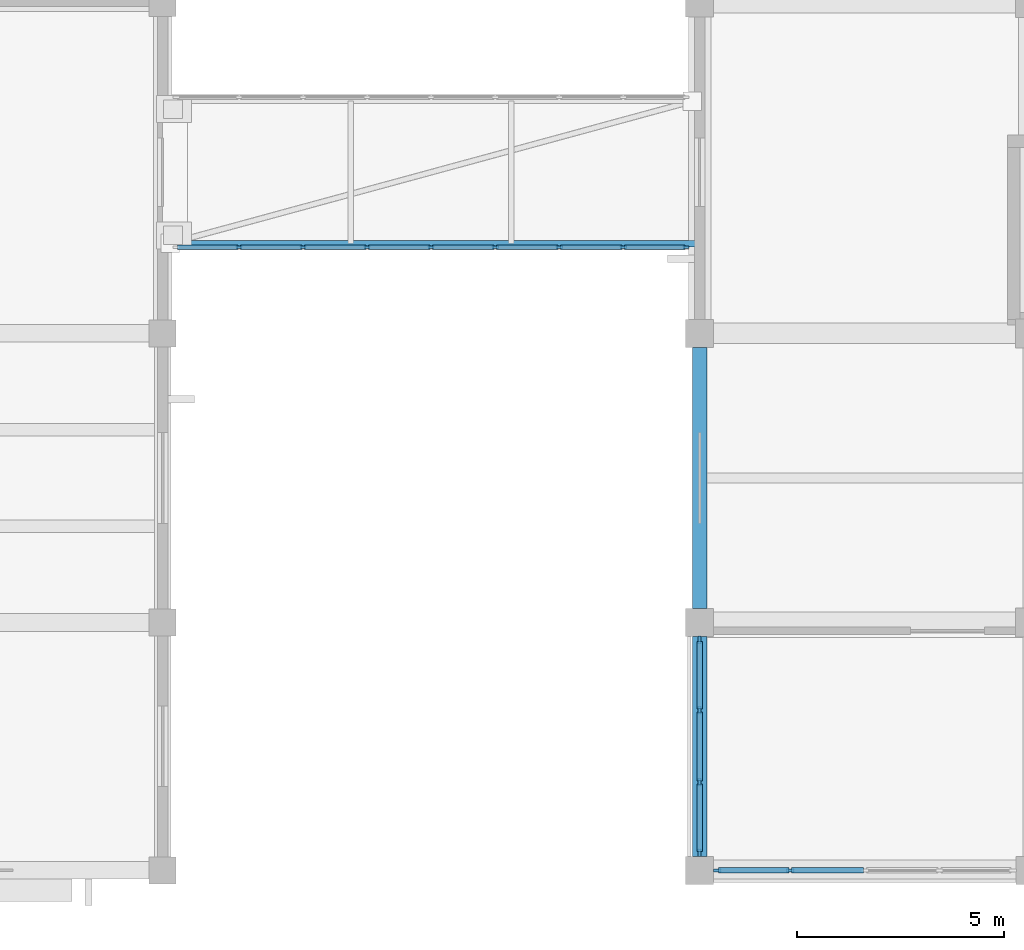
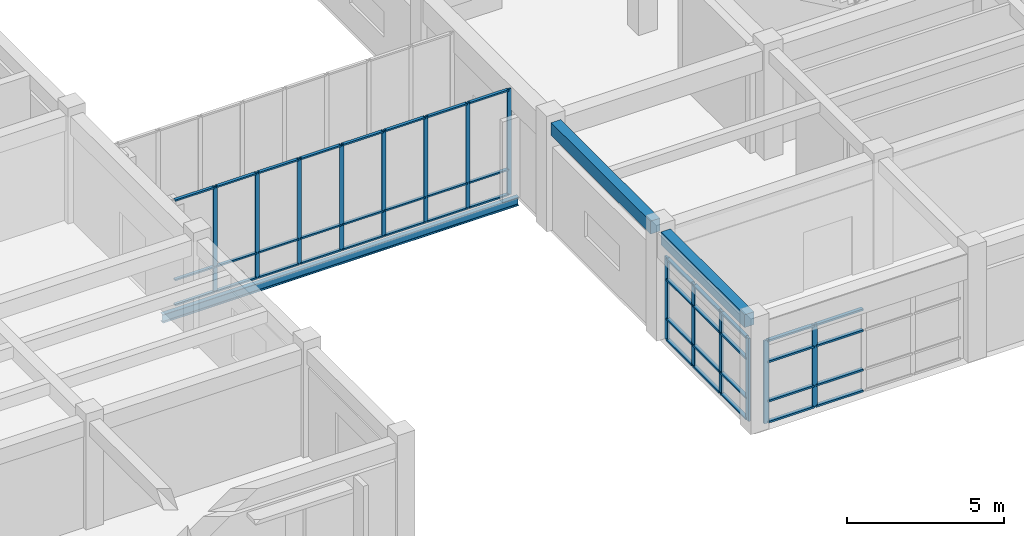
# One storey, part 21 of 72: 58 members, 3 beams, 3 elements without a shape of their own.
"""IFC4 building model written with IfcOpenShell, lengths in metres."""

import ifcopenshell
import ifcopenshell.guid

model = None  # the IFC model being written
_history = None  # IfcOwnerHistory: only IFC2X3 demands one
_inside = {}  # id of a spatial element -> (the spatial element, [elements in it])
_under = {}  # id of a project, library or spatial element -> (it, [spatial elements below it])
_declared = {}  # id of a project -> (the project, [libraries it declares])
_typed = {}  # id of a type object -> (the type object, [elements of that type])
_made_of = {}  # id of a material, layer set ... -> (it, [elements and type objects made of it])


def new_model(schema):
    """Start an empty IFC model of exactly this schema.

    Asked for "IFC4X3", IfcOpenShell would pick the latest addendum, in which some entities
    have other attributes; the version numbers below select the first issue.
    IFC2X3 requires an IfcOwnerHistory on every rooted entity: one is made here for all.
    """
    global model, _history
    if schema == "IFC4X3":
        model = ifcopenshell.file(schema_version=(4, 3, 0, 0))
    else:
        model = ifcopenshell.file(schema=schema)
    _inside.clear()
    _under.clear()
    _declared.clear()
    _typed.clear()
    _made_of.clear()
    _history = None
    if model.schema == "IFC2X3":
        org = make("IfcOrganization", Name="unknown")
        user = make(
            "IfcPersonAndOrganization",
            ThePerson=make("IfcPerson", FamilyName="unknown"),
            TheOrganization=org,
        )
        app = make(
            "IfcApplication",
            ApplicationDeveloper=org,
            Version="unknown",
            ApplicationFullName="unknown",
            ApplicationIdentifier="unknown",
        )
        _history = make(
            "IfcOwnerHistory",
            OwningUser=user,
            OwningApplication=app,
            ChangeAction="ADDED",
            CreationDate=0,
        )
    return model


def make(cls, **values):
    """One entity of the class cls with the attributes given. An attribute that is None is left unset."""
    return model.create_entity(
        cls, **{name: value for name, value in values.items() if value is not None}
    )


def rooted(cls, **values):
    """An entity with a GlobalId (a new one), such as an element, a storey or a relation."""
    return make(cls, GlobalId=ifcopenshell.guid.new(), OwnerHistory=_history, **values)


def si_unit(unit_type, name, prefix=None):
    """IfcSIUnit, for example si_unit("LENGTHUNIT", "METRE", prefix="MILLI")."""
    return make("IfcSIUnit", UnitType=unit_type, Prefix=prefix, Name=name)


def assignment(units):
    """IfcUnitAssignment: the units of a project."""
    return None if units is None else make("IfcUnitAssignment", Units=units)


def point(xyz):
    """IfcCartesianPoint."""
    return None if xyz is None else make("IfcCartesianPoint", Coordinates=xyz)


def direction(xyz):
    """IfcDirection."""
    return None if xyz is None else make("IfcDirection", DirectionRatios=xyz)


def frame(location, z_axis=None, x_axis=None):
    """IfcAxis2Placement3D, a coordinate frame: its origin and axes. An axis left out is left unset."""
    return make(
        "IfcAxis2Placement3D",
        Location=point(location),
        Axis=direction(z_axis),
        RefDirection=direction(x_axis),
    )


def frame_2d(location, x_axis=None):
    """IfcAxis2Placement2D, a coordinate frame in the plane: its origin and x axis."""
    return make(
        "IfcAxis2Placement2D", Location=point(location), RefDirection=direction(x_axis)
    )


def origin():
    """The frame at (0, 0, 0) with its axes left unset."""
    return frame((0.0, 0.0, 0.0))


def origin_2d():
    """The frame at (0, 0) in the plane with its x axis left unset."""
    return frame_2d((0.0, 0.0))


def place(relative_to, where):
    """IfcLocalPlacement: puts the frame where relative to a parent placement (None: the world)."""
    return make(
        "IfcLocalPlacement", PlacementRelTo=relative_to, RelativePlacement=where
    )


def context(
    kind, dimensions, precision=None, world=None, true_north=None, identifier=None
):
    """IfcGeometricRepresentationContext, for example the 3D "Model" context."""
    return make(
        "IfcGeometricRepresentationContext",
        ContextIdentifier=identifier,
        ContextType=kind,
        CoordinateSpaceDimension=dimensions,
        Precision=precision,
        WorldCoordinateSystem=world,
        TrueNorth=true_north,
    )


def subcontext(parent, identifier, kind, view, scale=None):
    """IfcGeometricRepresentationSubContext, for example "Body" below "Model"."""
    return make(
        "IfcGeometricRepresentationSubContext",
        ContextIdentifier=identifier,
        ContextType=kind,
        ParentContext=parent,
        TargetScale=scale,
        TargetView=view,
    )


def project(units=None, contexts=None):
    """IfcProject with its units and contexts."""
    return rooted(
        "IfcProject",
        Name="project",
        RepresentationContexts=contexts,
        UnitsInContext=assignment(units),
    )


def spatial(cls, under=None, at=None, **own):
    """A site, building, storey or space (cls), placed at a placement, below another one or the project."""
    s = rooted(cls, ObjectPlacement=at, **own)
    if under is not None:
        _under.setdefault(under.id(), (under, []))[1].append(s)
    return s


def profile(cls, at=None, kind="AREA", **sizes):
    """A parametric profile (cls). Its sizes go by their IFC names, for example OverallWidth=200.0."""
    return make(cls, ProfileType=kind, Position=at, **sizes)


def rectangle(**sizes):
    """IfcRectangleProfileDef."""
    return profile("IfcRectangleProfileDef", **sizes)


def i_section(**sizes):
    """IfcIShapeProfileDef."""
    return profile("IfcIShapeProfileDef", **sizes)


def extrude(swept, where, along, depth):
    """IfcExtrudedAreaSolid: the profile swept, set in the frame where, extruded along a direction by depth."""
    return make(
        "IfcExtrudedAreaSolid",
        SweptArea=swept,
        Position=where,
        ExtrudedDirection=direction(along),
        Depth=depth,
    )


def shape(context_of_items, identifier, shape_type, items):
    """IfcShapeRepresentation: the items that make up one representation, for example the "Body"."""
    return make(
        "IfcShapeRepresentation",
        ContextOfItems=context_of_items,
        RepresentationIdentifier=identifier,
        RepresentationType=shape_type,
        Items=items,
    )


def material(Name=None, Category=None):
    """IfcMaterial."""
    return make("IfcMaterial", Name=Name, Category=Category)


def layer(
    of_material, thickness, ventilated=None, Name=None, Category=None, Priority=None
):
    """IfcMaterialLayer: one layer of a wall or slab, of a material (None: an air gap)."""
    return make(
        "IfcMaterialLayer",
        Material=of_material,
        LayerThickness=thickness,
        IsVentilated=ventilated,
        Name=Name,
        Category=Category,
        Priority=Priority,
    )


def layer_set(layers, Name=None):
    """IfcMaterialLayerSet."""
    return make("IfcMaterialLayerSet", MaterialLayers=layers, LayerSetName=Name)


def material_profile(
    of_material, cross_section, Name=None, Category=None, Priority=None
):
    """IfcMaterialProfile: a cross section and its material."""
    return make(
        "IfcMaterialProfile",
        Name=Name,
        Material=of_material,
        Profile=cross_section,
        Priority=Priority,
        Category=Category,
    )


def profile_set(profiles, Name=None, composite=None):
    """IfcMaterialProfileSet."""
    return make(
        "IfcMaterialProfileSet",
        Name=Name,
        MaterialProfiles=profiles,
        CompositeProfile=composite,
    )


def made_of(thing, what):
    """Note that an element or type object is made of a material, layer set ...; save() writes the relation."""
    if what is not None:
        _made_of.setdefault(what.id(), (what, []))[1].append(thing)
    return thing


def type_object(cls, material=None, **own):
    """A type object (cls), such as IfcWallType, which elements share."""
    return made_of(rooted(cls, **own), material)


def element(
    cls,
    number,
    at=None,
    inside=None,
    cuts=None,
    type_object=None,
    material=None,
    context=None,
    identifier="Body",
    shape_type=None,
    held_by="IfcProductDefinitionShape",
    body=None,
    shapes=None,
    **own,
):
    """One element of the class cls, such as IfcWall. Its Tag is "e" and its number.

    at: its placement. inside: the storey or other place that contains it. cuts: it is an
    opening in that element (IfcRelVoidsElement). A single representation is given by context,
    identifier, shape_type and body (its items); several are given by shapes. held_by: the class
    of the entity that holds the representations. save() writes the other relations.
    """
    e = rooted(cls, Tag="e%d" % number, ObjectPlacement=at, **own)
    if body is not None:
        shapes = [shape(context, identifier, shape_type, body)]
    if shapes is not None:
        e.Representation = make(held_by, Representations=shapes)
    if inside is not None:
        _inside.setdefault(inside.id(), (inside, []))[1].append(e)
    if cuts is not None:
        rooted(
            "IfcRelVoidsElement", RelatingBuildingElement=cuts, RelatedOpeningElement=e
        )
    if type_object is not None:
        _typed.setdefault(type_object.id(), (type_object, []))[1].append(e)
    return made_of(e, material)


def aggregate(whole, parts):
    """IfcRelAggregates: a whole, such as a stair, and the parts it consists of."""
    return rooted("IfcRelAggregates", RelatingObject=whole, RelatedObjects=parts)


def save(model, path):
    """Write the relations noted so far, then the file.

    IfcRelAggregates (storeys below a building ...), IfcRelContainedInSpatialStructure (elements
    in a storey), IfcRelDefinesByType, IfcRelAssociatesMaterial and IfcRelDeclares: one each for
    every whole, place, type object, material and project.
    """
    for whole, parts in _under.values():
        aggregate(whole, parts)
    for where, things in _inside.values():
        rooted(
            "IfcRelContainedInSpatialStructure",
            RelatedElements=things,
            RelatingStructure=where,
        )
    for kind, things in _typed.values():
        rooted("IfcRelDefinesByType", RelatedObjects=things, RelatingType=kind)
    for what, things in _made_of.values():
        rooted("IfcRelAssociatesMaterial", RelatedObjects=things, RelatingMaterial=what)
    for by, libraries in _declared.values():
        rooted("IfcRelDeclares", RelatingContext=by, RelatedDefinitions=libraries)
    model.write(path)


model = new_model("IFC4")

# Units and contexts
model_context = context("Model", 3, precision=1e-05, world=origin(), true_north=direction((0.0, 1.0)))
body_context = subcontext(model_context, "Body", "Model", "MODEL_VIEW")
ifc_project = project(units=[si_unit("LENGTHUNIT", "METRE"), si_unit("AREAUNIT", "SQUARE_METRE"), si_unit("VOLUMEUNIT", "CUBIC_METRE"), si_unit("PLANEANGLEUNIT", "RADIAN"), si_unit("MASSUNIT", "GRAM", prefix="KILO")], contexts=[model_context])

# Site, building, storey
site_placement = place(None, origin())
site = spatial("IfcSite", under=ifc_project, at=site_placement, CompositionType="ELEMENT")
building_placement = place(site_placement, origin())
building = spatial("IfcBuilding", under=site, at=building_placement, Name="Naurynzar Civic Courthouse", CompositionType="ELEMENT")
storey_placement = place(building_placement, frame((0.0, 0.0, 9.89990234375)))
storey = spatial("IfcBuildingStorey", under=building, at=storey_placement, Name="L03", CompositionType="ELEMENT", Elevation=9.89990234375)

# Beams
ifc_material_1 = material(Name="Concrete C40/50", Category="concrete")
ifc_material_profile_1 = material_profile(ifc_material_1, rectangle(XDim=0.35009765625, YDim=0.5, at=origin_2d()), Name="RCB 350x500")
ifc_profile_set_1 = profile_set([ifc_material_profile_1], Name="Concrete C40/50")
beam_type_1 = type_object("IfcBeamType", Name="BM-RC-350x500", PredefinedType="BEAM", material=ifc_profile_set_1)
beam_1_placement = place(storey_placement, frame((130.0, 4.33740234375, 3.9501953125), z_axis=(0.0, 1.0, 0.0), x_axis=(-1.0, 0.0, 0.0)))
element("IfcBeam", 1, at=beam_1_placement, inside=storey, type_object=beam_type_1, Name="V5 girder Y-2423 L03", PredefinedType="BEAM", context=body_context, shape_type="SweptSolid", body=[
    extrude(rectangle(XDim=0.35009765625, YDim=0.5, at=origin_2d()), origin(), (0.0, 0.0, 1.0), 5.3251953125),
])
beam_2_placement = place(storey_placement, frame((130.0, 10.33740234375, 3.9501953125), z_axis=(0.0, 1.0, 0.0), x_axis=(-1.0, 0.0, 0.0)))
element("IfcBeam", 2, at=beam_2_placement, inside=storey, type_object=beam_type_1, Name="V5 girder Y-2424 L03", PredefinedType="BEAM", context=body_context, shape_type="SweptSolid", body=[
    extrude(rectangle(XDim=0.35009765625, YDim=0.5, at=origin_2d()), origin(), (0.0, 0.0, 1.0), 6.3251953125),
])
ifc_material_2 = material(Name="Steel S355", Category="steel")
ifc_material_profile_2 = material_profile(ifc_material_2, i_section(OverallWidth=0.159912109375, OverallDepth=0.330078125, WebThickness=0.007568359375, FlangeThickness=0.011474609375, FilletRadius=0.01806640625, at=origin_2d()), Name="IPE 330")
ifc_profile_set_2 = profile_set([ifc_material_profile_2], Name="Steel S355")
beam_type_2 = type_object("IfcBeamType", Name="BM-STL-IPE330", PredefinedType="BEAM", material=ifc_profile_set_2)
beam_3_placement = place(storey_placement, frame((116.949951171875, 19.169921875, -0.40478515625), z_axis=(1.0, 0.0, 0.0), x_axis=(0.0, 1.0, 0.0)))
element("IfcBeam", 3, at=beam_3_placement, inside=storey, type_object=beam_type_2, Name="BR-E2 edge steel beam L03.1", PredefinedType="BEAM", context=body_context, shape_type="SweptSolid", body=[
    extrude(i_section(OverallWidth=0.159912109375, OverallDepth=0.330078125, WebThickness=0.007568359375, FlangeThickness=0.011474609375, FilletRadius=0.01806640625, at=origin_2d()), origin(), (0.0, 0.0, 1.0), 13.10009765625),
])

# Curtain wall, members
ifc_material_3 = material(Name="Aluminium 6063-T6", Category="aluminium")
ifc_layer_1 = layer(ifc_material_3, 0.14990234375)
ifc_layer_set_1 = layer_set([ifc_layer_1], Name="CW-BRIDGE-1500")
curtain_wall_type_1 = type_object("IfcCurtainWallType", Name="CW-BRIDGE-1500", PredefinedType="USERDEFINED", material=ifc_layer_set_1)
curtain_wall_1_placement = place(storey_placement, origin())
curtain_wall_1 = element("IfcCurtainWall", 4, at=curtain_wall_1_placement, inside=storey, type_object=curtain_wall_type_1, Name="BR-E2 glazed bridge screen L03.1", ObjectType="GLAZED BRIDGE SCREEN", PredefinedType="USERDEFINED")
ifc_material_4 = material(Name="Aluminium 6063-T6", Category="aluminium")
ifc_material_profile_3 = material_profile(ifc_material_4, rectangle(XDim=0.06005859375, YDim=0.14990234375, at=origin_2d()), Name="ALU MULLION 60x150")
ifc_profile_set_3 = profile_set([ifc_material_profile_3], Name="Aluminium 6063-T6")
member_type_1 = type_object("IfcMemberType", Name="CWM-60x150", PredefinedType="MULLION", material=ifc_profile_set_3)
member_1_placement = place(storey_placement, frame((118.85009765625, 19.080078125, 0.0), z_axis=(0.0, 0.0, 1.0), x_axis=(0.0, 1.0, 0.0)))
member_1 = element("IfcMember", 5, at=member_1_placement, type_object=member_type_1, Name="CW-03 mullion 2", PredefinedType="MULLION", context=body_context, shape_type="SweptSolid", body=[
    extrude(rectangle(XDim=0.06005859375, YDim=0.14990234375, at=origin_2d()), origin(), (0.0, 0.0, 1.0), 4.1201171875),
])
member_2_placement = place(storey_placement, frame((120.39990234375, 19.080078125, 0.0), z_axis=(0.0, 0.0, 1.0), x_axis=(0.0, 1.0, 0.0)))
member_2 = element("IfcMember", 6, at=member_2_placement, type_object=member_type_1, Name="CW-03 mullion 3", PredefinedType="MULLION", context=body_context, shape_type="SweptSolid", body=[
    extrude(rectangle(XDim=0.06005859375, YDim=0.14990234375, at=origin_2d()), origin(), (0.0, 0.0, 1.0), 4.1201171875),
])
member_3_placement = place(storey_placement, frame((121.949951171875, 19.080078125, 0.0), z_axis=(0.0, 0.0, 1.0), x_axis=(0.0, 1.0, 0.0)))
member_3 = element("IfcMember", 7, at=member_3_placement, type_object=member_type_1, Name="CW-03 mullion 4", PredefinedType="MULLION", context=body_context, shape_type="SweptSolid", body=[
    extrude(rectangle(XDim=0.06005859375, YDim=0.14990234375, at=origin_2d()), origin(), (0.0, 0.0, 1.0), 4.1201171875),
])
member_4_placement = place(storey_placement, frame((123.5, 19.080078125, 0.0), z_axis=(0.0, 0.0, 1.0), x_axis=(0.0, 1.0, 0.0)))
member_4 = element("IfcMember", 8, at=member_4_placement, type_object=member_type_1, Name="CW-03 mullion 5", PredefinedType="MULLION", context=body_context, shape_type="SweptSolid", body=[
    extrude(rectangle(XDim=0.06005859375, YDim=0.14990234375, at=origin_2d()), origin(), (0.0, 0.0, 1.0), 4.1201171875),
])
member_5_placement = place(storey_placement, frame((125.050048828125, 19.080078125, 0.0), z_axis=(0.0, 0.0, 1.0), x_axis=(0.0, 1.0, 0.0)))
member_5 = element("IfcMember", 9, at=member_5_placement, type_object=member_type_1, Name="CW-03 mullion 6", PredefinedType="MULLION", context=body_context, shape_type="SweptSolid", body=[
    extrude(rectangle(XDim=0.06005859375, YDim=0.14990234375, at=origin_2d()), origin(), (0.0, 0.0, 1.0), 4.1201171875),
])
member_6_placement = place(storey_placement, frame((126.60009765625, 19.080078125, 0.0), z_axis=(0.0, 0.0, 1.0), x_axis=(0.0, 1.0, 0.0)))
member_6 = element("IfcMember", 10, at=member_6_placement, type_object=member_type_1, Name="CW-03 mullion 7", PredefinedType="MULLION", context=body_context, shape_type="SweptSolid", body=[
    extrude(rectangle(XDim=0.06005859375, YDim=0.14990234375, at=origin_2d()), origin(), (0.0, 0.0, 1.0), 4.1201171875),
])
member_7_placement = place(storey_placement, frame((128.14990234375, 19.080078125, 0.0), z_axis=(0.0, 0.0, 1.0), x_axis=(0.0, 1.0, 0.0)))
member_7 = element("IfcMember", 11, at=member_7_placement, type_object=member_type_1, Name="CW-03 mullion 8", PredefinedType="MULLION", context=body_context, shape_type="SweptSolid", body=[
    extrude(rectangle(XDim=0.06005859375, YDim=0.14990234375, at=origin_2d()), origin(), (0.0, 0.0, 1.0), 4.1201171875),
])
member_8_placement = place(storey_placement, frame((129.669921875, 19.080078125, 0.0), z_axis=(0.0, 0.0, 1.0), x_axis=(0.0, 1.0, 0.0)))
member_8 = element("IfcMember", 12, at=member_8_placement, type_object=member_type_1, Name="CW-03 mullion 9", PredefinedType="MULLION", context=body_context, shape_type="SweptSolid", body=[
    extrude(rectangle(XDim=0.06005859375, YDim=0.14990234375, at=origin_2d()), origin(), (0.0, 0.0, 1.0), 4.1201171875),
])

ifc_material_5 = material(Name="Aluminium 6063-T6", Category="aluminium")
ifc_layer_2 = layer(ifc_material_5, 0.159912109375)
ifc_layer_set_2 = layer_set([ifc_layer_2], Name="CW-UNIT-1800")
curtain_wall_type_2 = type_object("IfcCurtainWallType", Name="CW-UNIT-1800", PredefinedType="NOTDEFINED", material=ifc_layer_set_2)
curtain_wall_2_placement = place(storey_placement, origin())
curtain_wall_2 = element("IfcCurtainWall", 13, at=curtain_wall_2_placement, inside=storey, type_object=curtain_wall_type_2, Name="V5 unitised curtain wall 90 L03", PredefinedType="NOTDEFINED")
ifc_material_6 = material(Name="Aluminium 6063-T6", Category="aluminium")
ifc_material_profile_4 = material_profile(ifc_material_6, rectangle(XDim=0.070068359375, YDim=0.179931640625, at=origin_2d()), Name="ALU MULLION 70x180")
ifc_profile_set_4 = profile_set([ifc_material_profile_4], Name="Aluminium 6063-T6")
member_type_2 = type_object("IfcMemberType", Name="CWM-70x180", PredefinedType="MULLION", material=ifc_profile_set_4)
member_9_placement = place(storey_placement, frame((130.0, 4.422607421875, 0.0), z_axis=(0.0, 0.0, 1.0), x_axis=(-1.0, 0.0, 0.0)))
member_9 = element("IfcMember", 14, at=member_9_placement, type_object=member_type_2, Name="CW-02 mullion 1", PredefinedType="MULLION", context=body_context, shape_type="SweptSolid", body=[
    extrude(rectangle(XDim=0.070068359375, YDim=0.179931640625, at=origin_2d()), origin(), (0.0, 0.0, 1.0), 3.22998046875),
])
member_10_placement = place(storey_placement, frame((130.0, 6.129150390625, 0.0), z_axis=(0.0, 0.0, 1.0), x_axis=(-1.0, 0.0, 0.0)))
member_10 = element("IfcMember", 15, at=member_10_placement, type_object=member_type_2, Name="CW-02 mullion 2", PredefinedType="MULLION", context=body_context, shape_type="SweptSolid", body=[
    extrude(rectangle(XDim=0.070068359375, YDim=0.179931640625, at=origin_2d()), origin(), (0.0, 0.0, 1.0), 3.22998046875),
])
member_11_placement = place(storey_placement, frame((130.0, 7.870849609375, 0.0), z_axis=(0.0, 0.0, 1.0), x_axis=(-1.0, 0.0, 0.0)))
member_11 = element("IfcMember", 16, at=member_11_placement, type_object=member_type_2, Name="CW-02 mullion 3", PredefinedType="MULLION", context=body_context, shape_type="SweptSolid", body=[
    extrude(rectangle(XDim=0.070068359375, YDim=0.179931640625, at=origin_2d()), origin(), (0.0, 0.0, 1.0), 3.22998046875),
])
member_12_placement = place(storey_placement, frame((130.0, 9.577392578125, 0.0), z_axis=(0.0, 0.0, 1.0), x_axis=(-1.0, 0.0, 0.0)))
member_12 = element("IfcMember", 17, at=member_12_placement, type_object=member_type_2, Name="CW-02 mullion 4", PredefinedType="MULLION", context=body_context, shape_type="SweptSolid", body=[
    extrude(rectangle(XDim=0.070068359375, YDim=0.179931640625, at=origin_2d()), origin(), (0.0, 0.0, 1.0), 3.22998046875),
])

curtain_wall_3_placement = place(storey_placement, origin())
curtain_wall_3 = element("IfcCurtainWall", 18, at=curtain_wall_3_placement, inside=storey, type_object=curtain_wall_type_2, Name="V5 unitised curtain wall 96 L03", PredefinedType="NOTDEFINED")
member_13_placement = place(storey_placement, frame((132.19384765625, 4.0, 0.0), z_axis=(0.0, 0.0, 1.0), x_axis=(0.0, -1.0, 0.0)))
member_13 = element("IfcMember", 19, at=member_13_placement, type_object=member_type_2, Name="CW-02 mullion 4", PredefinedType="MULLION", context=body_context, shape_type="SweptSolid", body=[
    extrude(rectangle(XDim=0.070068359375, YDim=0.179931640625, at=origin_2d()), origin(), (0.0, 0.0, 1.0), 3.22998046875),
])
member_14_placement = place(storey_placement, frame((130.422607421875, 4.0, 0.0), z_axis=(0.0, 0.0, 1.0), x_axis=(0.0, -1.0, 0.0)))
member_14 = element("IfcMember", 20, at=member_14_placement, type_object=member_type_2, Name="CW-02 mullion 5", PredefinedType="MULLION", context=body_context, shape_type="SweptSolid", body=[
    extrude(rectangle(XDim=0.070068359375, YDim=0.179931640625, at=origin_2d()), origin(), (0.0, 0.0, 1.0), 3.22998046875),
])

# Member
ifc_material_7 = material(Name="Aluminium 6063-T6", Category="aluminium")
ifc_material_profile_5 = material_profile(ifc_material_7, rectangle(XDim=0.110107421875, YDim=0.06005859375, at=origin_2d()), Name="ALU TRANSOM 60x110")
ifc_profile_set_5 = profile_set([ifc_material_profile_5], Name="Aluminium 6063-T6")
member_type_3 = type_object("IfcMemberType", Name="CWT-60x110", PredefinedType="USERDEFINED", material=ifc_profile_set_5)
member_15_placement = place(storey_placement, frame((117.360107421875, 19.080078125, 0.030029296875), z_axis=(1.0, 0.0, 0.0), x_axis=(0.0, 1.0, 0.0)))
member_15 = element("IfcMember", 21, at=member_15_placement, type_object=member_type_3, Name="CW-03 transom 1.1", ObjectType="TRANSOM", PredefinedType="USERDEFINED", context=body_context, shape_type="SweptSolid", body=[
    extrude(rectangle(XDim=0.110107421875, YDim=0.06005859375, at=origin_2d()), origin(), (0.0, 0.0, 1.0), 1.4599609375),
])

member_16_placement = place(storey_placement, frame((117.360107421875, 19.080078125, 1.0), z_axis=(1.0, 0.0, 0.0), x_axis=(0.0, 1.0, 0.0)))
member_16 = element("IfcMember", 22, at=member_16_placement, type_object=member_type_3, Name="CW-03 transom 1.2", ObjectType="TRANSOM", PredefinedType="USERDEFINED", context=body_context, shape_type="SweptSolid", body=[
    extrude(rectangle(XDim=0.110107421875, YDim=0.06005859375, at=origin_2d()), origin(), (0.0, 0.0, 1.0), 1.4599609375),
])

member_17_placement = place(storey_placement, frame((117.360107421875, 19.080078125, 4.090087890625), z_axis=(1.0, 0.0, 0.0), x_axis=(0.0, 1.0, 0.0)))
member_17 = element("IfcMember", 23, at=member_17_placement, type_object=member_type_3, Name="CW-03 transom 1.3", ObjectType="TRANSOM", PredefinedType="USERDEFINED", context=body_context, shape_type="SweptSolid", body=[
    extrude(rectangle(XDim=0.110107421875, YDim=0.06005859375, at=origin_2d()), origin(), (0.0, 0.0, 1.0), 1.4599609375),
])

member_18_placement = place(storey_placement, frame((118.8798828125, 19.080078125, 0.030029296875), z_axis=(1.0, 0.0, 0.0), x_axis=(0.0, 1.0, 0.0)))
member_18 = element("IfcMember", 24, at=member_18_placement, type_object=member_type_3, Name="CW-03 transom 2.1", ObjectType="TRANSOM", PredefinedType="USERDEFINED", context=body_context, shape_type="SweptSolid", body=[
    extrude(rectangle(XDim=0.110107421875, YDim=0.06005859375, at=origin_2d()), origin(), (0.0, 0.0, 1.0), 1.490234375),
])

member_19_placement = place(storey_placement, frame((118.8798828125, 19.080078125, 1.0), z_axis=(1.0, 0.0, 0.0), x_axis=(0.0, 1.0, 0.0)))
member_19 = element("IfcMember", 25, at=member_19_placement, type_object=member_type_3, Name="CW-03 transom 2.2", ObjectType="TRANSOM", PredefinedType="USERDEFINED", context=body_context, shape_type="SweptSolid", body=[
    extrude(rectangle(XDim=0.110107421875, YDim=0.06005859375, at=origin_2d()), origin(), (0.0, 0.0, 1.0), 1.490234375),
])

member_20_placement = place(storey_placement, frame((118.8798828125, 19.080078125, 4.090087890625), z_axis=(1.0, 0.0, 0.0), x_axis=(0.0, 1.0, 0.0)))
member_20 = element("IfcMember", 26, at=member_20_placement, type_object=member_type_3, Name="CW-03 transom 2.3", ObjectType="TRANSOM", PredefinedType="USERDEFINED", context=body_context, shape_type="SweptSolid", body=[
    extrude(rectangle(XDim=0.110107421875, YDim=0.06005859375, at=origin_2d()), origin(), (0.0, 0.0, 1.0), 1.490234375),
])

member_21_placement = place(storey_placement, frame((120.429931640625, 19.080078125, 0.030029296875), z_axis=(1.0, 0.0, 0.0), x_axis=(0.0, 1.0, 0.0)))
member_21 = element("IfcMember", 27, at=member_21_placement, type_object=member_type_3, Name="CW-03 transom 3.1", ObjectType="TRANSOM", PredefinedType="USERDEFINED", context=body_context, shape_type="SweptSolid", body=[
    extrude(rectangle(XDim=0.110107421875, YDim=0.06005859375, at=origin_2d()), origin(), (0.0, 0.0, 1.0), 1.489990234375),
])

member_22_placement = place(storey_placement, frame((120.429931640625, 19.080078125, 1.0), z_axis=(1.0, 0.0, 0.0), x_axis=(0.0, 1.0, 0.0)))
member_22 = element("IfcMember", 28, at=member_22_placement, type_object=member_type_3, Name="CW-03 transom 3.2", ObjectType="TRANSOM", PredefinedType="USERDEFINED", context=body_context, shape_type="SweptSolid", body=[
    extrude(rectangle(XDim=0.110107421875, YDim=0.06005859375, at=origin_2d()), origin(), (0.0, 0.0, 1.0), 1.489990234375),
])

member_23_placement = place(storey_placement, frame((120.429931640625, 19.080078125, 4.090087890625), z_axis=(1.0, 0.0, 0.0), x_axis=(0.0, 1.0, 0.0)))
member_23 = element("IfcMember", 29, at=member_23_placement, type_object=member_type_3, Name="CW-03 transom 3.3", ObjectType="TRANSOM", PredefinedType="USERDEFINED", context=body_context, shape_type="SweptSolid", body=[
    extrude(rectangle(XDim=0.110107421875, YDim=0.06005859375, at=origin_2d()), origin(), (0.0, 0.0, 1.0), 1.489990234375),
])

member_24_placement = place(storey_placement, frame((121.97998046875, 19.080078125, 0.030029296875), z_axis=(1.0, 0.0, 0.0), x_axis=(0.0, 1.0, 0.0)))
member_24 = element("IfcMember", 30, at=member_24_placement, type_object=member_type_3, Name="CW-03 transom 4.1", ObjectType="TRANSOM", PredefinedType="USERDEFINED", context=body_context, shape_type="SweptSolid", body=[
    extrude(rectangle(XDim=0.110107421875, YDim=0.06005859375, at=origin_2d()), origin(), (0.0, 0.0, 1.0), 1.489990234375),
])

member_25_placement = place(storey_placement, frame((121.97998046875, 19.080078125, 1.0), z_axis=(1.0, 0.0, 0.0), x_axis=(0.0, 1.0, 0.0)))
member_25 = element("IfcMember", 31, at=member_25_placement, type_object=member_type_3, Name="CW-03 transom 4.2", ObjectType="TRANSOM", PredefinedType="USERDEFINED", context=body_context, shape_type="SweptSolid", body=[
    extrude(rectangle(XDim=0.110107421875, YDim=0.06005859375, at=origin_2d()), origin(), (0.0, 0.0, 1.0), 1.489990234375),
])

member_26_placement = place(storey_placement, frame((121.97998046875, 19.080078125, 4.090087890625), z_axis=(1.0, 0.0, 0.0), x_axis=(0.0, 1.0, 0.0)))
member_26 = element("IfcMember", 32, at=member_26_placement, type_object=member_type_3, Name="CW-03 transom 4.3", ObjectType="TRANSOM", PredefinedType="USERDEFINED", context=body_context, shape_type="SweptSolid", body=[
    extrude(rectangle(XDim=0.110107421875, YDim=0.06005859375, at=origin_2d()), origin(), (0.0, 0.0, 1.0), 1.489990234375),
])

member_27_placement = place(storey_placement, frame((123.530029296875, 19.080078125, 0.030029296875), z_axis=(1.0, 0.0, 0.0), x_axis=(0.0, 1.0, 0.0)))
member_27 = element("IfcMember", 33, at=member_27_placement, type_object=member_type_3, Name="CW-03 transom 5.1", ObjectType="TRANSOM", PredefinedType="USERDEFINED", context=body_context, shape_type="SweptSolid", body=[
    extrude(rectangle(XDim=0.110107421875, YDim=0.06005859375, at=origin_2d()), origin(), (0.0, 0.0, 1.0), 1.489990234375),
])

member_28_placement = place(storey_placement, frame((123.530029296875, 19.080078125, 1.0), z_axis=(1.0, 0.0, 0.0), x_axis=(0.0, 1.0, 0.0)))
member_28 = element("IfcMember", 34, at=member_28_placement, type_object=member_type_3, Name="CW-03 transom 5.2", ObjectType="TRANSOM", PredefinedType="USERDEFINED", context=body_context, shape_type="SweptSolid", body=[
    extrude(rectangle(XDim=0.110107421875, YDim=0.06005859375, at=origin_2d()), origin(), (0.0, 0.0, 1.0), 1.489990234375),
])

member_29_placement = place(storey_placement, frame((123.530029296875, 19.080078125, 4.090087890625), z_axis=(1.0, 0.0, 0.0), x_axis=(0.0, 1.0, 0.0)))
member_29 = element("IfcMember", 35, at=member_29_placement, type_object=member_type_3, Name="CW-03 transom 5.3", ObjectType="TRANSOM", PredefinedType="USERDEFINED", context=body_context, shape_type="SweptSolid", body=[
    extrude(rectangle(XDim=0.110107421875, YDim=0.06005859375, at=origin_2d()), origin(), (0.0, 0.0, 1.0), 1.489990234375),
])

member_30_placement = place(storey_placement, frame((125.080078125, 19.080078125, 0.030029296875), z_axis=(1.0, 0.0, 0.0), x_axis=(0.0, 1.0, 0.0)))
member_30 = element("IfcMember", 36, at=member_30_placement, type_object=member_type_3, Name="CW-03 transom 6.1", ObjectType="TRANSOM", PredefinedType="USERDEFINED", context=body_context, shape_type="SweptSolid", body=[
    extrude(rectangle(XDim=0.110107421875, YDim=0.06005859375, at=origin_2d()), origin(), (0.0, 0.0, 1.0), 1.489990234375),
])

member_31_placement = place(storey_placement, frame((125.080078125, 19.080078125, 1.0), z_axis=(1.0, 0.0, 0.0), x_axis=(0.0, 1.0, 0.0)))
member_31 = element("IfcMember", 37, at=member_31_placement, type_object=member_type_3, Name="CW-03 transom 6.2", ObjectType="TRANSOM", PredefinedType="USERDEFINED", context=body_context, shape_type="SweptSolid", body=[
    extrude(rectangle(XDim=0.110107421875, YDim=0.06005859375, at=origin_2d()), origin(), (0.0, 0.0, 1.0), 1.489990234375),
])

member_32_placement = place(storey_placement, frame((125.080078125, 19.080078125, 4.090087890625), z_axis=(1.0, 0.0, 0.0), x_axis=(0.0, 1.0, 0.0)))
member_32 = element("IfcMember", 38, at=member_32_placement, type_object=member_type_3, Name="CW-03 transom 6.3", ObjectType="TRANSOM", PredefinedType="USERDEFINED", context=body_context, shape_type="SweptSolid", body=[
    extrude(rectangle(XDim=0.110107421875, YDim=0.06005859375, at=origin_2d()), origin(), (0.0, 0.0, 1.0), 1.489990234375),
])

member_33_placement = place(storey_placement, frame((126.6298828125, 19.080078125, 0.030029296875), z_axis=(1.0, 0.0, 0.0), x_axis=(0.0, 1.0, 0.0)))
member_33 = element("IfcMember", 39, at=member_33_placement, type_object=member_type_3, Name="CW-03 transom 7.1", ObjectType="TRANSOM", PredefinedType="USERDEFINED", context=body_context, shape_type="SweptSolid", body=[
    extrude(rectangle(XDim=0.110107421875, YDim=0.06005859375, at=origin_2d()), origin(), (0.0, 0.0, 1.0), 1.490234375),
])

member_34_placement = place(storey_placement, frame((126.6298828125, 19.080078125, 1.0), z_axis=(1.0, 0.0, 0.0), x_axis=(0.0, 1.0, 0.0)))
member_34 = element("IfcMember", 40, at=member_34_placement, type_object=member_type_3, Name="CW-03 transom 7.2", ObjectType="TRANSOM", PredefinedType="USERDEFINED", context=body_context, shape_type="SweptSolid", body=[
    extrude(rectangle(XDim=0.110107421875, YDim=0.06005859375, at=origin_2d()), origin(), (0.0, 0.0, 1.0), 1.490234375),
])

member_35_placement = place(storey_placement, frame((126.6298828125, 19.080078125, 4.090087890625), z_axis=(1.0, 0.0, 0.0), x_axis=(0.0, 1.0, 0.0)))
member_35 = element("IfcMember", 41, at=member_35_placement, type_object=member_type_3, Name="CW-03 transom 7.3", ObjectType="TRANSOM", PredefinedType="USERDEFINED", context=body_context, shape_type="SweptSolid", body=[
    extrude(rectangle(XDim=0.110107421875, YDim=0.06005859375, at=origin_2d()), origin(), (0.0, 0.0, 1.0), 1.490234375),
])

member_36_placement = place(storey_placement, frame((128.179931640625, 19.080078125, 0.030029296875), z_axis=(1.0, 0.0, 0.0), x_axis=(0.0, 1.0, 0.0)))
member_36 = element("IfcMember", 42, at=member_36_placement, type_object=member_type_3, Name="CW-03 transom 8.1", ObjectType="TRANSOM", PredefinedType="USERDEFINED", context=body_context, shape_type="SweptSolid", body=[
    extrude(rectangle(XDim=0.110107421875, YDim=0.06005859375, at=origin_2d()), origin(), (0.0, 0.0, 1.0), 1.4599609375),
])

member_37_placement = place(storey_placement, frame((128.179931640625, 19.080078125, 1.0), z_axis=(1.0, 0.0, 0.0), x_axis=(0.0, 1.0, 0.0)))
member_37 = element("IfcMember", 43, at=member_37_placement, type_object=member_type_3, Name="CW-03 transom 8.2", ObjectType="TRANSOM", PredefinedType="USERDEFINED", context=body_context, shape_type="SweptSolid", body=[
    extrude(rectangle(XDim=0.110107421875, YDim=0.06005859375, at=origin_2d()), origin(), (0.0, 0.0, 1.0), 1.4599609375),
])

member_38_placement = place(storey_placement, frame((128.179931640625, 19.080078125, 4.090087890625), z_axis=(1.0, 0.0, 0.0), x_axis=(0.0, 1.0, 0.0)))
member_38 = element("IfcMember", 44, at=member_38_placement, type_object=member_type_3, Name="CW-03 transom 8.3", ObjectType="TRANSOM", PredefinedType="USERDEFINED", context=body_context, shape_type="SweptSolid", body=[
    extrude(rectangle(XDim=0.110107421875, YDim=0.06005859375, at=origin_2d()), origin(), (0.0, 0.0, 1.0), 1.4599609375),
])

aggregate(curtain_wall_1, [member_1, member_2, member_3, member_4, member_5, member_6, member_7, member_8, member_15, member_16, member_17, member_18, member_19, member_20, member_21, member_22, member_23, member_24, member_25, member_26, member_27, member_28, member_29, member_30, member_31, member_32, member_33, member_34, member_35, member_36, member_37, member_38])

ifc_material_8 = material(Name="Aluminium 6063-T6", Category="aluminium")
ifc_material_profile_6 = material_profile(ifc_material_8, rectangle(XDim=0.1298828125, YDim=0.070068359375, at=origin_2d()), Name="ALU TRANSOM 70x130")
ifc_profile_set_6 = profile_set([ifc_material_profile_6], Name="Aluminium 6063-T6")
member_type_4 = type_object("IfcMemberType", Name="CWT-70x130", PredefinedType="USERDEFINED", material=ifc_profile_set_6)
member_39_placement = place(storey_placement, frame((130.0, 4.45751953125, 0.03515625), z_axis=(0.0, 1.0, 0.0), x_axis=(-1.0, 0.0, 0.0)))
member_39 = element("IfcMember", 45, at=member_39_placement, type_object=member_type_4, Name="CW-02 transom 1.1", ObjectType="TRANSOM", PredefinedType="USERDEFINED", context=body_context, shape_type="SweptSolid", body=[
    extrude(rectangle(XDim=0.1298828125, YDim=0.070068359375, at=origin_2d()), origin(), (0.0, 0.0, 1.0), 1.63671875),
])

member_40_placement = place(storey_placement, frame((130.0, 4.45751953125, 0.85009765625), z_axis=(0.0, 1.0, 0.0), x_axis=(-1.0, 0.0, 0.0)))
member_40 = element("IfcMember", 46, at=member_40_placement, type_object=member_type_4, Name="CW-02 transom 1.2", ObjectType="TRANSOM", PredefinedType="USERDEFINED", context=body_context, shape_type="SweptSolid", body=[
    extrude(rectangle(XDim=0.1298828125, YDim=0.070068359375, at=origin_2d()), origin(), (0.0, 0.0, 1.0), 1.63671875),
])

member_41_placement = place(storey_placement, frame((130.0, 4.45751953125, 2.380126953125), z_axis=(0.0, 1.0, 0.0), x_axis=(-1.0, 0.0, 0.0)))
member_41 = element("IfcMember", 47, at=member_41_placement, type_object=member_type_4, Name="CW-02 transom 1.3", ObjectType="TRANSOM", PredefinedType="USERDEFINED", context=body_context, shape_type="SweptSolid", body=[
    extrude(rectangle(XDim=0.1298828125, YDim=0.070068359375, at=origin_2d()), origin(), (0.0, 0.0, 1.0), 1.63671875),
])

member_42_placement = place(storey_placement, frame((130.0, 4.45751953125, 3.195068359375), z_axis=(0.0, 1.0, 0.0), x_axis=(-1.0, 0.0, 0.0)))
member_42 = element("IfcMember", 48, at=member_42_placement, type_object=member_type_4, Name="CW-02 transom 1.4", ObjectType="TRANSOM", PredefinedType="USERDEFINED", context=body_context, shape_type="SweptSolid", body=[
    extrude(rectangle(XDim=0.1298828125, YDim=0.070068359375, at=origin_2d()), origin(), (0.0, 0.0, 1.0), 1.63671875),
])

member_43_placement = place(storey_placement, frame((130.0, 6.1640625, 0.03515625), z_axis=(0.0, 1.0, 0.0), x_axis=(-1.0, 0.0, 0.0)))
member_43 = element("IfcMember", 49, at=member_43_placement, type_object=member_type_4, Name="CW-02 transom 2.1", ObjectType="TRANSOM", PredefinedType="USERDEFINED", context=body_context, shape_type="SweptSolid", body=[
    extrude(rectangle(XDim=0.1298828125, YDim=0.070068359375, at=origin_2d()), origin(), (0.0, 0.0, 1.0), 1.671875),
])

member_44_placement = place(storey_placement, frame((130.0, 6.1640625, 0.85009765625), z_axis=(0.0, 1.0, 0.0), x_axis=(-1.0, 0.0, 0.0)))
member_44 = element("IfcMember", 50, at=member_44_placement, type_object=member_type_4, Name="CW-02 transom 2.2", ObjectType="TRANSOM", PredefinedType="USERDEFINED", context=body_context, shape_type="SweptSolid", body=[
    extrude(rectangle(XDim=0.1298828125, YDim=0.070068359375, at=origin_2d()), origin(), (0.0, 0.0, 1.0), 1.671875),
])

member_45_placement = place(storey_placement, frame((130.0, 6.1640625, 2.380126953125), z_axis=(0.0, 1.0, 0.0), x_axis=(-1.0, 0.0, 0.0)))
member_45 = element("IfcMember", 51, at=member_45_placement, type_object=member_type_4, Name="CW-02 transom 2.3", ObjectType="TRANSOM", PredefinedType="USERDEFINED", context=body_context, shape_type="SweptSolid", body=[
    extrude(rectangle(XDim=0.1298828125, YDim=0.070068359375, at=origin_2d()), origin(), (0.0, 0.0, 1.0), 1.671875),
])

member_46_placement = place(storey_placement, frame((130.0, 6.1640625, 3.195068359375), z_axis=(0.0, 1.0, 0.0), x_axis=(-1.0, 0.0, 0.0)))
member_46 = element("IfcMember", 52, at=member_46_placement, type_object=member_type_4, Name="CW-02 transom 2.4", ObjectType="TRANSOM", PredefinedType="USERDEFINED", context=body_context, shape_type="SweptSolid", body=[
    extrude(rectangle(XDim=0.1298828125, YDim=0.070068359375, at=origin_2d()), origin(), (0.0, 0.0, 1.0), 1.671875),
])

member_47_placement = place(storey_placement, frame((130.0, 7.90576171875, 0.03515625), z_axis=(0.0, 1.0, 0.0), x_axis=(-1.0, 0.0, 0.0)))
member_47 = element("IfcMember", 53, at=member_47_placement, type_object=member_type_4, Name="CW-02 transom 3.1", ObjectType="TRANSOM", PredefinedType="USERDEFINED", context=body_context, shape_type="SweptSolid", body=[
    extrude(rectangle(XDim=0.1298828125, YDim=0.070068359375, at=origin_2d()), origin(), (0.0, 0.0, 1.0), 1.63671875),
])

member_48_placement = place(storey_placement, frame((130.0, 7.90576171875, 0.85009765625), z_axis=(0.0, 1.0, 0.0), x_axis=(-1.0, 0.0, 0.0)))
member_48 = element("IfcMember", 54, at=member_48_placement, type_object=member_type_4, Name="CW-02 transom 3.2", ObjectType="TRANSOM", PredefinedType="USERDEFINED", context=body_context, shape_type="SweptSolid", body=[
    extrude(rectangle(XDim=0.1298828125, YDim=0.070068359375, at=origin_2d()), origin(), (0.0, 0.0, 1.0), 1.63671875),
])

member_49_placement = place(storey_placement, frame((130.0, 7.90576171875, 2.380126953125), z_axis=(0.0, 1.0, 0.0), x_axis=(-1.0, 0.0, 0.0)))
member_49 = element("IfcMember", 55, at=member_49_placement, type_object=member_type_4, Name="CW-02 transom 3.3", ObjectType="TRANSOM", PredefinedType="USERDEFINED", context=body_context, shape_type="SweptSolid", body=[
    extrude(rectangle(XDim=0.1298828125, YDim=0.070068359375, at=origin_2d()), origin(), (0.0, 0.0, 1.0), 1.63671875),
])

member_50_placement = place(storey_placement, frame((130.0, 7.90576171875, 3.195068359375), z_axis=(0.0, 1.0, 0.0), x_axis=(-1.0, 0.0, 0.0)))
member_50 = element("IfcMember", 56, at=member_50_placement, type_object=member_type_4, Name="CW-02 transom 3.4", ObjectType="TRANSOM", PredefinedType="USERDEFINED", context=body_context, shape_type="SweptSolid", body=[
    extrude(rectangle(XDim=0.1298828125, YDim=0.070068359375, at=origin_2d()), origin(), (0.0, 0.0, 1.0), 1.63671875),
])

aggregate(curtain_wall_2, [member_9, member_10, member_11, member_12, member_39, member_40, member_41, member_42, member_43, member_44, member_45, member_46, member_47, member_48, member_49, member_50])

member_51_placement = place(storey_placement, frame((133.965087890625, 4.0, 0.03515625), z_axis=(-1.0, 0.0, 0.0), x_axis=(0.0, -1.0, 0.0)))
member_51 = element("IfcMember", 57, at=member_51_placement, type_object=member_type_4, Name="CW-02 transom 3.1", ObjectType="TRANSOM", PredefinedType="USERDEFINED", context=body_context, shape_type="SweptSolid", body=[
    extrude(rectangle(XDim=0.1298828125, YDim=0.070068359375, at=origin_2d()), origin(), (0.0, 0.0, 1.0), 1.736328125),
])

member_52_placement = place(storey_placement, frame((133.965087890625, 4.0, 0.85009765625), z_axis=(-1.0, 0.0, 0.0), x_axis=(0.0, -1.0, 0.0)))
member_52 = element("IfcMember", 58, at=member_52_placement, type_object=member_type_4, Name="CW-02 transom 3.2", ObjectType="TRANSOM", PredefinedType="USERDEFINED", context=body_context, shape_type="SweptSolid", body=[
    extrude(rectangle(XDim=0.1298828125, YDim=0.070068359375, at=origin_2d()), origin(), (0.0, 0.0, 1.0), 1.736328125),
])

member_53_placement = place(storey_placement, frame((133.965087890625, 4.0, 2.380126953125), z_axis=(-1.0, 0.0, 0.0), x_axis=(0.0, -1.0, 0.0)))
member_53 = element("IfcMember", 59, at=member_53_placement, type_object=member_type_4, Name="CW-02 transom 3.3", ObjectType="TRANSOM", PredefinedType="USERDEFINED", context=body_context, shape_type="SweptSolid", body=[
    extrude(rectangle(XDim=0.1298828125, YDim=0.070068359375, at=origin_2d()), origin(), (0.0, 0.0, 1.0), 1.736328125),
])

member_54_placement = place(storey_placement, frame((133.965087890625, 4.0, 3.195068359375), z_axis=(-1.0, 0.0, 0.0), x_axis=(0.0, -1.0, 0.0)))
member_54 = element("IfcMember", 60, at=member_54_placement, type_object=member_type_4, Name="CW-02 transom 3.4", ObjectType="TRANSOM", PredefinedType="USERDEFINED", context=body_context, shape_type="SweptSolid", body=[
    extrude(rectangle(XDim=0.1298828125, YDim=0.070068359375, at=origin_2d()), origin(), (0.0, 0.0, 1.0), 1.736328125),
])

member_55_placement = place(storey_placement, frame((132.15869140625, 4.0, 0.03515625), z_axis=(-1.0, 0.0, 0.0), x_axis=(0.0, -1.0, 0.0)))
member_55 = element("IfcMember", 61, at=member_55_placement, type_object=member_type_4, Name="CW-02 transom 4.1", ObjectType="TRANSOM", PredefinedType="USERDEFINED", context=body_context, shape_type="SweptSolid", body=[
    extrude(rectangle(XDim=0.1298828125, YDim=0.070068359375, at=origin_2d()), origin(), (0.0, 0.0, 1.0), 1.701171875),
])

member_56_placement = place(storey_placement, frame((132.15869140625, 4.0, 0.85009765625), z_axis=(-1.0, 0.0, 0.0), x_axis=(0.0, -1.0, 0.0)))
member_56 = element("IfcMember", 62, at=member_56_placement, type_object=member_type_4, Name="CW-02 transom 4.2", ObjectType="TRANSOM", PredefinedType="USERDEFINED", context=body_context, shape_type="SweptSolid", body=[
    extrude(rectangle(XDim=0.1298828125, YDim=0.070068359375, at=origin_2d()), origin(), (0.0, 0.0, 1.0), 1.701171875),
])

member_57_placement = place(storey_placement, frame((132.15869140625, 4.0, 2.380126953125), z_axis=(-1.0, 0.0, 0.0), x_axis=(0.0, -1.0, 0.0)))
member_57 = element("IfcMember", 63, at=member_57_placement, type_object=member_type_4, Name="CW-02 transom 4.3", ObjectType="TRANSOM", PredefinedType="USERDEFINED", context=body_context, shape_type="SweptSolid", body=[
    extrude(rectangle(XDim=0.1298828125, YDim=0.070068359375, at=origin_2d()), origin(), (0.0, 0.0, 1.0), 1.701171875),
])

member_58_placement = place(storey_placement, frame((132.15869140625, 4.0, 3.195068359375), z_axis=(-1.0, 0.0, 0.0), x_axis=(0.0, -1.0, 0.0)))
member_58 = element("IfcMember", 64, at=member_58_placement, type_object=member_type_4, Name="CW-02 transom 4.4", ObjectType="TRANSOM", PredefinedType="USERDEFINED", context=body_context, shape_type="SweptSolid", body=[
    extrude(rectangle(XDim=0.1298828125, YDim=0.070068359375, at=origin_2d()), origin(), (0.0, 0.0, 1.0), 1.701171875),
])

aggregate(curtain_wall_3, [member_13, member_14, member_51, member_52, member_53, member_54, member_55, member_56, member_57, member_58])

save(model, "model.ifc")
